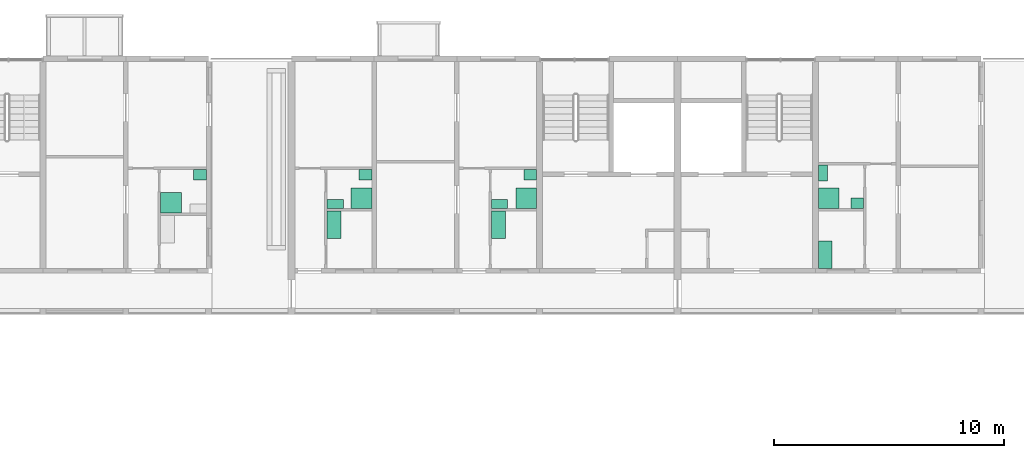
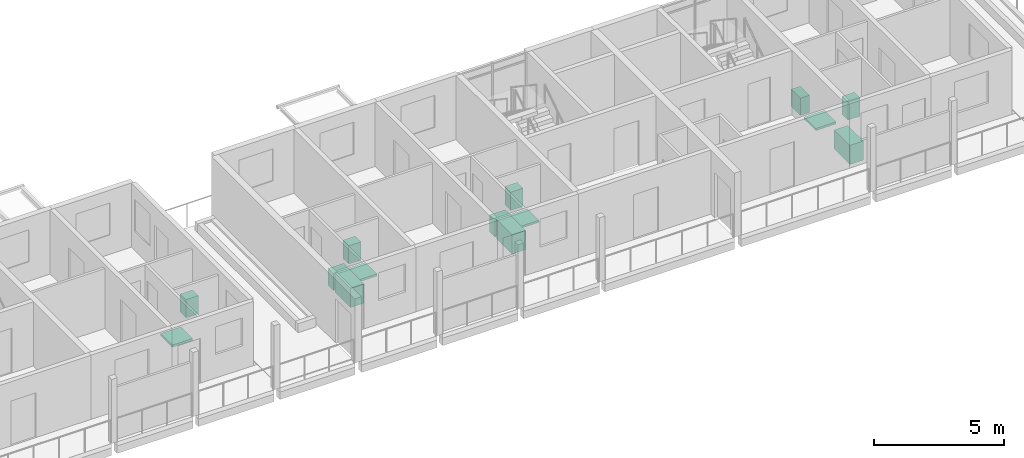
# One storey, part 94 of 94: 14 sanitary terminals.
"""IFC4 building model written with IfcOpenShell, lengths in metres."""

from ifc_helpers import new_model, si_unit, direction, frame, origin, origin_2d, place, context, subcontext, project, spatial, rectangle, extrude, element, save


model = new_model("IFC4")

# Units and contexts
model_context = context("Model", 3, precision=1e-05, world=origin(), true_north=direction((0.0, 1.0)))
body_context = subcontext(model_context, "Body", "Model", "MODEL_VIEW")
ifc_project = project(units=[si_unit("LENGTHUNIT", "METRE"), si_unit("AREAUNIT", "SQUARE_METRE"), si_unit("VOLUMEUNIT", "CUBIC_METRE"), si_unit("PLANEANGLEUNIT", "RADIAN"), si_unit("MASSUNIT", "GRAM", prefix="KILO")], contexts=[model_context])

# Site, building, storey
site_placement = place(None, origin())
site = spatial("IfcSite", under=ifc_project, at=site_placement, CompositionType="ELEMENT")
building_placement = place(site_placement, origin())
building = spatial("IfcBuilding", under=site, at=building_placement, Name="Ridgestep Commons", CompositionType="ELEMENT")
storey_placement = place(building_placement, frame((0.0, 0.0, 21.0)))
storey = spatial("IfcBuildingStorey", under=building, at=storey_placement, Name="L07", CompositionType="ELEMENT", Elevation=21.0)

# Sanitary terminals
sanitary_terminal_1_placement = place(storey_placement, frame((208.760009765625, 70.860107421875, 0.0), z_axis=(0.0, 0.0, 1.0), x_axis=(1.0, 0.0, 0.0)))
element("IfcSanitaryTerminal", 1, at=sanitary_terminal_1_placement, inside=storey, Name="Shower tray C4-07a", PredefinedType="SHOWER", context=body_context, shape_type="SweptSolid", body=[
    extrude(rectangle(XDim=0.89990234375, YDim=0.89990234375, at=origin_2d()), origin(), (0.0, 0.0, 1.0), 0.10009765625),
])
sanitary_terminal_2_placement = place(storey_placement, frame((210.02490234375, 72.074951171875, 0.0), z_axis=(0.0, 0.0, 1.0), x_axis=(1.0, 0.0, 0.0)))
element("IfcSanitaryTerminal", 2, at=sanitary_terminal_2_placement, inside=storey, Name="Basin C4-07a", PredefinedType="WASHHANDBASIN", context=body_context, shape_type="SweptSolid", body=[
    extrude(rectangle(XDim=0.550048828125, YDim=0.449951171875, at=origin_2d()), origin(), (0.0, 0.0, 1.0), 0.85009765625),
])
sanitary_terminal_3_placement = place(storey_placement, frame((217.050048828125, 71.06005859375, 0.0), z_axis=(0.0, 0.0, 1.0), x_axis=(1.0, 0.0, 0.0)))
element("IfcSanitaryTerminal", 3, at=sanitary_terminal_3_placement, inside=storey, Name="Shower tray C5-07a", PredefinedType="SHOWER", context=body_context, shape_type="SweptSolid", body=[
    extrude(rectangle(XDim=0.89990234375, YDim=0.89990234375, at=origin_2d()), origin(), (0.0, 0.0, 1.0), 0.10009765625),
])
sanitary_terminal_4_placement = place(storey_placement, frame((215.909912109375, 70.81005859375, 0.0), z_axis=(0.0, 0.0, 1.0), x_axis=(1.0, 0.0, 0.0)))
element("IfcSanitaryTerminal", 4, at=sanitary_terminal_4_placement, inside=storey, Name="WC C5-07a", PredefinedType="TOILETPAN", context=body_context, shape_type="SweptSolid", body=[
    extrude(rectangle(XDim=0.699951171875, YDim=0.39990234375, at=origin_2d()), origin(), (0.0, 0.0, 1.0), 0.800048828125),
])
sanitary_terminal_5_placement = place(storey_placement, frame((217.22509765625, 72.074951171875, 0.0), z_axis=(0.0, 0.0, 1.0), x_axis=(1.0, 0.0, 0.0)))
element("IfcSanitaryTerminal", 5, at=sanitary_terminal_5_placement, inside=storey, Name="Basin C5-07a", PredefinedType="WASHHANDBASIN", context=body_context, shape_type="SweptSolid", body=[
    extrude(rectangle(XDim=0.550048828125, YDim=0.449951171875, at=origin_2d()), origin(), (0.0, 0.0, 1.0), 0.85009765625),
])
sanitary_terminal_6_placement = place(storey_placement, frame((215.860107421875, 69.89990234375, 0.0), z_axis=(0.0, 0.0, 1.0), x_axis=(1.0, 0.0, 0.0)))
element("IfcSanitaryTerminal", 6, at=sanitary_terminal_6_placement, inside=storey, Name="Kitchen sink C5-07a", PredefinedType="SINK", context=body_context, shape_type="SweptSolid", body=[
    extrude(rectangle(XDim=0.60009765625, YDim=1.199951171875, at=origin_2d()), origin(), (0.0, 0.0, 1.0), 0.89990234375),
])
sanitary_terminal_7_placement = place(storey_placement, frame((224.22509765625, 71.06005859375, 0.0), z_axis=(0.0, 0.0, 1.0), x_axis=(1.0, 0.0, 0.0)))
element("IfcSanitaryTerminal", 7, at=sanitary_terminal_7_placement, inside=storey, Name="Shower tray C5-07b", PredefinedType="SHOWER", context=body_context, shape_type="SweptSolid", body=[
    extrude(rectangle(XDim=0.89990234375, YDim=0.89990234375, at=origin_2d()), origin(), (0.0, 0.0, 1.0), 0.10009765625),
])
sanitary_terminal_8_placement = place(storey_placement, frame((223.06005859375, 70.81005859375, 0.0), z_axis=(0.0, 0.0, 1.0), x_axis=(1.0, 0.0, 0.0)))
element("IfcSanitaryTerminal", 8, at=sanitary_terminal_8_placement, inside=storey, Name="WC C5-07b", PredefinedType="TOILETPAN", context=body_context, shape_type="SweptSolid", body=[
    extrude(rectangle(XDim=0.699951171875, YDim=0.39990234375, at=origin_2d()), origin(), (0.0, 0.0, 1.0), 0.800048828125),
])
sanitary_terminal_9_placement = place(storey_placement, frame((224.39990234375, 72.074951171875, 0.0), z_axis=(0.0, 0.0, 1.0), x_axis=(1.0, 0.0, 0.0)))
element("IfcSanitaryTerminal", 9, at=sanitary_terminal_9_placement, inside=storey, Name="Basin C5-07b", PredefinedType="WASHHANDBASIN", context=body_context, shape_type="SweptSolid", body=[
    extrude(rectangle(XDim=0.550048828125, YDim=0.449951171875, at=origin_2d()), origin(), (0.0, 0.0, 1.0), 0.85009765625),
])
sanitary_terminal_10_placement = place(storey_placement, frame((223.010009765625, 69.89990234375, 0.0), z_axis=(0.0, 0.0, 1.0), x_axis=(1.0, 0.0, 0.0)))
element("IfcSanitaryTerminal", 10, at=sanitary_terminal_10_placement, inside=storey, Name="Kitchen sink C5-07b", PredefinedType="SINK", context=body_context, shape_type="SweptSolid", body=[
    extrude(rectangle(XDim=0.60009765625, YDim=1.199951171875, at=origin_2d()), origin(), (0.0, 0.0, 1.0), 0.89990234375),
])
sanitary_terminal_11_placement = place(storey_placement, frame((237.375, 71.06005859375, 0.0), z_axis=(0.0, 0.0, 1.0), x_axis=(1.0, 0.0, 0.0)))
element("IfcSanitaryTerminal", 11, at=sanitary_terminal_11_placement, inside=storey, Name="Shower tray C6-07a", PredefinedType="SHOWER", context=body_context, shape_type="SweptSolid", body=[
    extrude(rectangle(XDim=0.89990234375, YDim=0.89990234375, at=origin_2d()), origin(), (0.0, 0.0, 1.0), 0.10009765625),
])
sanitary_terminal_12_placement = place(storey_placement, frame((237.125, 72.14990234375, 0.0), z_axis=(0.0, 0.0, 1.0), x_axis=(1.0, 0.0, 0.0)))
element("IfcSanitaryTerminal", 12, at=sanitary_terminal_12_placement, inside=storey, Name="WC C6-07a", PredefinedType="TOILETPAN", context=body_context, shape_type="SweptSolid", body=[
    extrude(rectangle(XDim=0.39990234375, YDim=0.699951171875, at=origin_2d()), origin(), (0.0, 0.0, 1.0), 0.800048828125),
])
sanitary_terminal_13_placement = place(storey_placement, frame((238.614990234375, 70.8349609375, 0.0), z_axis=(0.0, 0.0, 1.0), x_axis=(1.0, 0.0, 0.0)))
element("IfcSanitaryTerminal", 13, at=sanitary_terminal_13_placement, inside=storey, Name="Basin C6-07a", PredefinedType="WASHHANDBASIN", context=body_context, shape_type="SweptSolid", body=[
    extrude(rectangle(XDim=0.550048828125, YDim=0.449951171875, at=origin_2d()), origin(), (0.0, 0.0, 1.0), 0.85009765625),
])
sanitary_terminal_14_placement = place(storey_placement, frame((237.22509765625, 68.60009765625, 0.0), z_axis=(0.0, 0.0, 1.0), x_axis=(1.0, 0.0, 0.0)))
element("IfcSanitaryTerminal", 14, at=sanitary_terminal_14_placement, inside=storey, Name="Kitchen sink C6-07a", PredefinedType="SINK", context=body_context, shape_type="SweptSolid", body=[
    extrude(rectangle(XDim=0.60009765625, YDim=1.199951171875, at=origin_2d()), origin(), (0.0, 0.0, 1.0), 0.89990234375),
])

save(model, "model.ifc")
